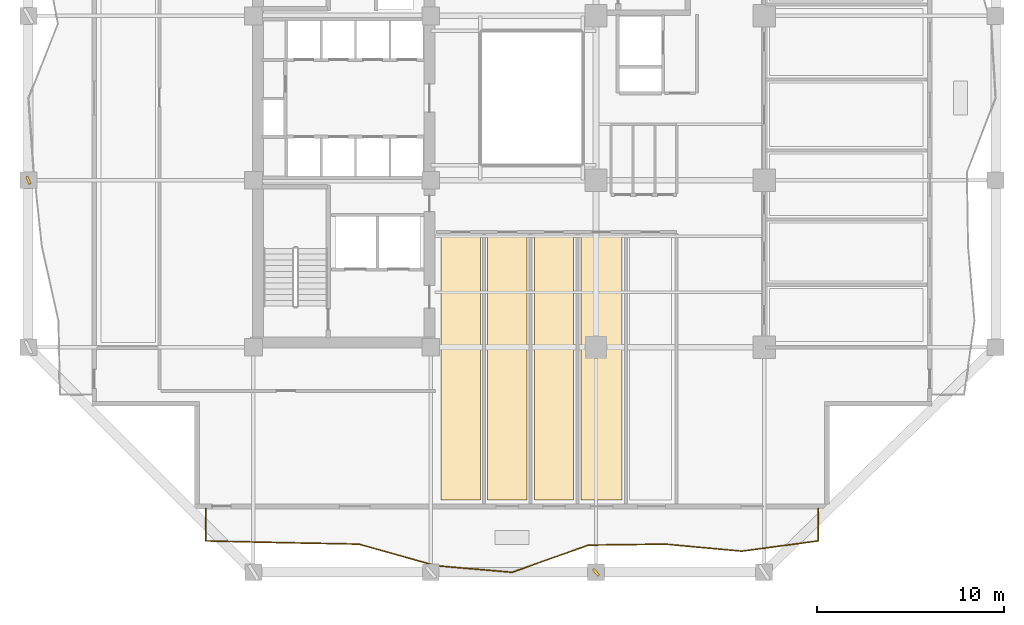
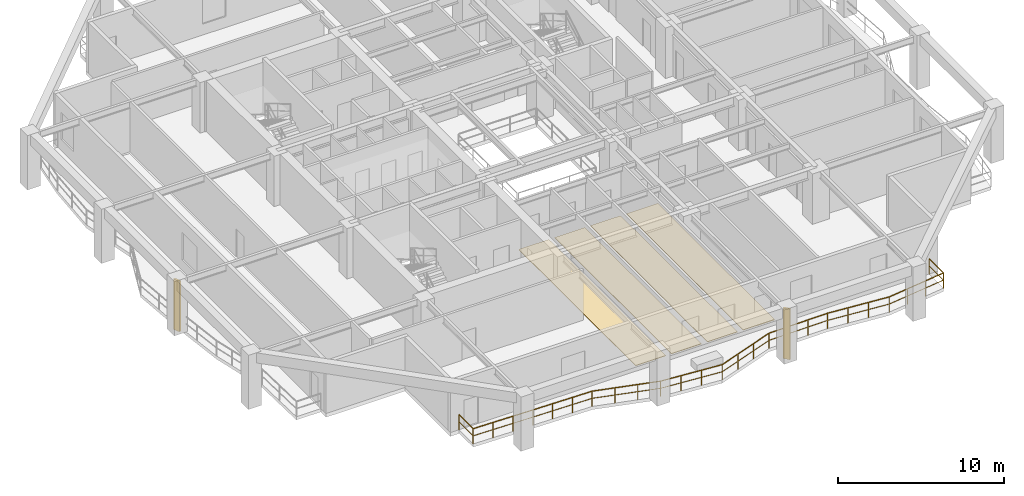
# One storey, part 8 of 13: 4 coverings, 2 shading devices, 1 railing.
"""IFC4 building model written with IfcOpenShell, lengths in metres."""

from ifc_helpers import new_model, si_unit, direction, frame, origin, origin_2d, place, context, subcontext, project, spatial, polyline, rectangle, outline, extrude, material, layer, layer_set, type_object, element, save


model = new_model("IFC4")

# Units and contexts
model_context = context("Model", 3, precision=1e-05, world=origin(), true_north=direction((0.0, 1.0)))
body_context = subcontext(model_context, "Body", "Model", "MODEL_VIEW")
ifc_project = project(units=[si_unit("LENGTHUNIT", "METRE"), si_unit("AREAUNIT", "SQUARE_METRE"), si_unit("VOLUMEUNIT", "CUBIC_METRE"), si_unit("PLANEANGLEUNIT", "RADIAN"), si_unit("MASSUNIT", "GRAM", prefix="KILO")], contexts=[model_context])

# Site, building, storey
site_placement = place(None, origin())
site = spatial("IfcSite", under=ifc_project, at=site_placement, CompositionType="ELEMENT")
building_placement = place(site_placement, origin())
building = spatial("IfcBuilding", under=site, at=building_placement, Name="Kundavana Baori Tower", CompositionType="ELEMENT")
storey_placement = place(building_placement, frame((0.0, 0.0, 66.0)))
storey = spatial("IfcBuildingStorey", under=building, at=storey_placement, Name="L15", CompositionType="ELEMENT", Elevation=66.0)

# Coverings
ifc_material_1 = material(Name="Honed Kota Stone and Terrazzo Flooring", Category="masonry")
ifc_layer = layer(ifc_material_1, 0.0400390625, Name="COV-FLR-TERR-40")
ifc_layer_set = layer_set([ifc_layer], Name="Honed Kota Stone and Terrazzo Flooring")
covering_type = type_object("IfcCoveringType", Name="COV-FLR-TERR-40", PredefinedType="FLOORING", material=ifc_layer_set)
covering_1_placement = place(storey_placement, origin())
element("IfcCovering", 1, at=covering_1_placement, inside=storey, type_object=covering_type, Name="L15 Room Finished Stone Flooring 2", PredefinedType="FLOORING", context=body_context, shape_type="SweptSolid", body=[
    extrude(outline(polyline([(25.5, 7.080078125), (27.60009765625, 7.080078125), (27.60009765625, 21.199951171875), (25.5, 21.199951171875), (25.5, 7.080078125)])), origin(), (0.0, 0.0, 1.0), 0.0400390625),
])
covering_2_placement = place(storey_placement, origin())
element("IfcCovering", 2, at=covering_2_placement, inside=storey, type_object=covering_type, Name="L15 Room Finished Stone Flooring 3", PredefinedType="FLOORING", context=body_context, shape_type="SweptSolid", body=[
    extrude(outline(polyline([(28.0, 7.080078125), (30.10009765625, 7.080078125), (30.10009765625, 21.199951171875), (28.0, 21.199951171875), (28.0, 7.080078125)])), origin(), (0.0, 0.0, 1.0), 0.0400390625),
])
covering_3_placement = place(storey_placement, origin())
element("IfcCovering", 3, at=covering_3_placement, inside=storey, type_object=covering_type, Name="L15 Room Finished Stone Flooring 4", PredefinedType="FLOORING", context=body_context, shape_type="SweptSolid", body=[
    extrude(outline(polyline([(30.5, 7.080078125), (32.60009765625, 7.080078125), (32.60009765625, 21.199951171875), (30.5, 21.199951171875), (30.5, 7.080078125)])), origin(), (0.0, 0.0, 1.0), 0.0400390625),
])
covering_4_placement = place(storey_placement, origin())
element("IfcCovering", 4, at=covering_4_placement, inside=storey, type_object=covering_type, Name="L15 Room Finished Stone Flooring 5", PredefinedType="FLOORING", context=body_context, shape_type="SweptSolid", body=[
    extrude(outline(polyline([(33.0, 7.080078125), (35.199951171875, 7.080078125), (35.199951171875, 21.199951171875), (33.0, 21.199951171875), (33.0, 7.080078125)])), origin(), (0.0, 0.0, 1.0), 0.0400390625),
])

# Railing
ifc_material_2 = material(Name="Architectural Patinated Bronze Metalwork")
railing_type = type_object("IfcRailingType", Name="RL-BAL-1150", PredefinedType="BALUSTRADE", material=ifc_material_2)
railing_placement = place(storey_placement, frame((45.699951171875, 6.60009765625, 0.0)))
element("IfcRailing", 5, at=railing_placement, inside=storey, type_object=railing_type, Name="L15 Loggia Balcony Balustrade S", PredefinedType="BALUSTRADE", context=body_context, shape_type="SweptSolid", body=[
    extrude(rectangle(XDim=0.048095703125, YDim=0.048095703125, at=origin_2d()), frame((0.0, 0.0, 1.1259765625), z_axis=(0.0, -1.0, 0.0), x_axis=(1.0, 0.0, 0.0)), (0.0, 0.0, 1.0), 1.72021484375),
    extrude(rectangle(XDim=0.03125, YDim=0.03125, at=origin_2d()), frame((0.0, 0.0, 0.597900390625), z_axis=(0.0, -1.0, 0.0), x_axis=(1.0, 0.0, 0.0)), (0.0, 0.0, 1.0), 1.72021484375),
    extrude(rectangle(XDim=0.048095703125, YDim=0.048095703125, at=origin_2d()), frame((0.0, -1.72021484375, 1.1259765625), z_axis=(-0.991158691367, -0.132681756577, 0.0), x_axis=(0.132681756577, -0.991158691367, 0.0)), (0.0, 0.0, 1.0), 4.136474609375),
    extrude(rectangle(XDim=0.03125, YDim=0.03125, at=origin_2d()), frame((0.0, -1.72021484375, 0.597900390625), z_axis=(-0.991158691367, -0.132681756577, 0.0), x_axis=(0.132681756577, -0.991158691367, 0.0)), (0.0, 0.0, 1.0), 4.136474609375),
    extrude(rectangle(XDim=0.048095703125, YDim=0.048095703125, at=origin_2d()), frame((-4.099853515625, -2.26904296875, 1.1259765625), z_axis=(-0.995843480493, 0.091081075744, 0.0), x_axis=(-0.091081075744, -0.995843480493, 0.0)), (0.0, 0.0, 1.0), 4.1171875),
    extrude(rectangle(XDim=0.03125, YDim=0.03125, at=origin_2d()), frame((-4.099853515625, -2.26904296875, 0.597900390625), z_axis=(-0.995843480493, 0.091081075744, 0.0), x_axis=(-0.091081075744, -0.995843480493, 0.0)), (0.0, 0.0, 1.0), 4.1171875),
    extrude(rectangle(XDim=0.048095703125, YDim=0.048095703125, at=origin_2d()), frame((-8.199951171875, -1.89404296875, 1.1259765625), z_axis=(-0.999916530695, -0.01292020288, 0.0), x_axis=(0.01292020288, -0.999916530695, 0.0)), (0.0, 0.0, 1.0), 4.100341796875),
    extrude(rectangle(XDim=0.03125, YDim=0.03125, at=origin_2d()), frame((-8.199951171875, -1.89404296875, 0.597900390625), z_axis=(-0.999916530695, -0.01292020288, 0.0), x_axis=(0.01292020288, -0.999916530695, 0.0)), (0.0, 0.0, 1.0), 4.100341796875),
    extrude(rectangle(XDim=0.048095703125, YDim=0.048095703125, at=origin_2d()), frame((-12.300048828125, -1.947021484375, 1.1259765625), z_axis=(-0.942548083463, -0.334070517047, 0.0), x_axis=(0.334070517047, -0.942548083463, 0.0)), (0.0, 0.0, 1.0), 4.349853515625),
    extrude(rectangle(XDim=0.03125, YDim=0.03125, at=origin_2d()), frame((-12.300048828125, -1.947021484375, 0.597900390625), z_axis=(-0.942548083463, -0.334070517047, 0.0), x_axis=(0.334070517047, -0.942548083463, 0.0)), (0.0, 0.0, 1.0), 4.349853515625),
    extrude(rectangle(XDim=0.048095703125, YDim=0.048095703125, at=origin_2d()), frame((-16.39990234375, -3.400146484375, 1.1259765625), z_axis=(-0.996273017827, 0.08625586328, 0.0), x_axis=(-0.08625586328, -0.996273017827, 0.0)), (0.0, 0.0, 1.0), 4.115478515625),
    extrude(rectangle(XDim=0.03125, YDim=0.03125, at=origin_2d()), frame((-16.39990234375, -3.400146484375, 0.597900390625), z_axis=(-0.996273017827, 0.08625586328, 0.0), x_axis=(-0.08625586328, -0.996273017827, 0.0)), (0.0, 0.0, 1.0), 4.115478515625),
    extrude(rectangle(XDim=0.048095703125, YDim=0.048095703125, at=origin_2d()), frame((-20.5, -3.045166015625, 1.1259765625), z_axis=(-0.962770852981, 0.27031885737, 0.0), x_axis=(-0.27031885737, -0.962770852981, 0.0)), (0.0, 0.0, 1.0), 4.25830078125),
    extrude(rectangle(XDim=0.03125, YDim=0.03125, at=origin_2d()), frame((-20.5, -3.045166015625, 0.597900390625), z_axis=(-0.962770852981, 0.27031885737, 0.0), x_axis=(-0.27031885737, -0.962770852981, 0.0)), (0.0, 0.0, 1.0), 4.25830078125),
    extrude(rectangle(XDim=0.048095703125, YDim=0.048095703125, at=origin_2d()), frame((-24.599853515625, -1.89404296875, 1.1259765625), z_axis=(-0.999810489297, 0.01946754972, 0.0), x_axis=(-0.01946754972, -0.999810489297, 0.0)), (0.0, 0.0, 1.0), 4.100830078125),
    extrude(rectangle(XDim=0.03125, YDim=0.03125, at=origin_2d()), frame((-24.599853515625, -1.89404296875, 0.597900390625), z_axis=(-0.999810489297, 0.01946754972, 0.0), x_axis=(-0.01946754972, -0.999810489297, 0.0)), (0.0, 0.0, 1.0), 4.100830078125),
    extrude(rectangle(XDim=0.048095703125, YDim=0.048095703125, at=origin_2d()), frame((-28.699951171875, -1.814208984375, 1.1259765625), z_axis=(-0.999737329062, 0.022918832422, 0.0), x_axis=(-0.022918832422, -0.999737329062, 0.0)), (0.0, 0.0, 1.0), 4.10107421875),
    extrude(rectangle(XDim=0.03125, YDim=0.03125, at=origin_2d()), frame((-28.699951171875, -1.814208984375, 0.597900390625), z_axis=(-0.999737329062, 0.022918832422, 0.0), x_axis=(-0.022918832422, -0.999737329062, 0.0)), (0.0, 0.0, 1.0), 4.10107421875),
    extrude(rectangle(XDim=0.048095703125, YDim=0.048095703125, at=origin_2d()), frame((-32.800048828125, -1.72021484375, 1.1259765625), z_axis=(0.0, 1.0, 0.0), x_axis=(-1.0, 0.0, 0.0)), (0.0, 0.0, 1.0), 1.72021484375),
    extrude(rectangle(XDim=0.03125, YDim=0.03125, at=origin_2d()), frame((-32.800048828125, -1.72021484375, 0.597900390625), z_axis=(0.0, 1.0, 0.0), x_axis=(-1.0, 0.0, 0.0)), (0.0, 0.0, 1.0), 1.72021484375),
    extrude(rectangle(XDim=0.0419921875, YDim=0.0419921875, at=origin_2d()), origin(), (0.0, 0.0, 1.0), 1.101806640625),
    extrude(rectangle(XDim=0.0419921875, YDim=0.0419921875, at=origin_2d()), frame((0.0, -1.72021484375, 0.0)), (0.0, 0.0, 1.0), 1.101806640625),
    extrude(rectangle(XDim=0.0419921875, YDim=0.0419921875, at=origin_2d()), frame((-1.36669921875, -1.903076171875, 0.0)), (0.0, 0.0, 1.0), 1.101806640625),
    extrude(rectangle(XDim=0.0419921875, YDim=0.0419921875, at=origin_2d()), frame((-2.733154296875, -2.086181640625, 0.0)), (0.0, 0.0, 1.0), 1.101806640625),
    extrude(rectangle(XDim=0.0419921875, YDim=0.0419921875, at=origin_2d()), frame((-4.099853515625, -2.26904296875, 0.0)), (0.0, 0.0, 1.0), 1.101806640625),
    extrude(rectangle(XDim=0.0419921875, YDim=0.0419921875, at=origin_2d()), frame((-5.466552734375, -2.14404296875, 0.0)), (0.0, 0.0, 1.0), 1.101806640625),
    extrude(rectangle(XDim=0.0419921875, YDim=0.0419921875, at=origin_2d()), frame((-6.833251953125, -2.01904296875, 0.0)), (0.0, 0.0, 1.0), 1.101806640625),
    extrude(rectangle(XDim=0.0419921875, YDim=0.0419921875, at=origin_2d()), frame((-8.199951171875, -1.89404296875, 0.0)), (0.0, 0.0, 1.0), 1.101806640625),
    extrude(rectangle(XDim=0.0419921875, YDim=0.0419921875, at=origin_2d()), frame((-9.566650390625, -1.91162109375, 0.0)), (0.0, 0.0, 1.0), 1.101806640625),
    extrude(rectangle(XDim=0.0419921875, YDim=0.0419921875, at=origin_2d()), frame((-10.933349609375, -1.929443359375, 0.0)), (0.0, 0.0, 1.0), 1.101806640625),
    extrude(rectangle(XDim=0.0419921875, YDim=0.0419921875, at=origin_2d()), frame((-12.300048828125, -1.947021484375, 0.0)), (0.0, 0.0, 1.0), 1.101806640625),
    extrude(rectangle(XDim=0.0419921875, YDim=0.0419921875, at=origin_2d()), frame((-13.666748046875, -2.431396484375, 0.0)), (0.0, 0.0, 1.0), 1.101806640625),
    extrude(rectangle(XDim=0.0419921875, YDim=0.0419921875, at=origin_2d()), frame((-15.033203125, -2.915771484375, 0.0)), (0.0, 0.0, 1.0), 1.101806640625),
    extrude(rectangle(XDim=0.0419921875, YDim=0.0419921875, at=origin_2d()), frame((-16.39990234375, -3.400146484375, 0.0)), (0.0, 0.0, 1.0), 1.101806640625),
    extrude(rectangle(XDim=0.0419921875, YDim=0.0419921875, at=origin_2d()), frame((-17.7666015625, -3.28173828125, 0.0)), (0.0, 0.0, 1.0), 1.101806640625),
    extrude(rectangle(XDim=0.0419921875, YDim=0.0419921875, at=origin_2d()), frame((-19.13330078125, -3.16357421875, 0.0)), (0.0, 0.0, 1.0), 1.101806640625),
    extrude(rectangle(XDim=0.0419921875, YDim=0.0419921875, at=origin_2d()), frame((-20.5, -3.045166015625, 0.0)), (0.0, 0.0, 1.0), 1.101806640625),
    extrude(rectangle(XDim=0.0419921875, YDim=0.0419921875, at=origin_2d()), frame((-21.86669921875, -2.661376953125, 0.0)), (0.0, 0.0, 1.0), 1.101806640625),
    extrude(rectangle(XDim=0.0419921875, YDim=0.0419921875, at=origin_2d()), frame((-23.233154296875, -2.27783203125, 0.0)), (0.0, 0.0, 1.0), 1.101806640625),
    extrude(rectangle(XDim=0.0419921875, YDim=0.0419921875, at=origin_2d()), frame((-24.599853515625, -1.89404296875, 0.0)), (0.0, 0.0, 1.0), 1.101806640625),
    extrude(rectangle(XDim=0.0419921875, YDim=0.0419921875, at=origin_2d()), frame((-25.966552734375, -1.867431640625, 0.0)), (0.0, 0.0, 1.0), 1.101806640625),
    extrude(rectangle(XDim=0.0419921875, YDim=0.0419921875, at=origin_2d()), frame((-27.333251953125, -1.8408203125, 0.0)), (0.0, 0.0, 1.0), 1.101806640625),
    extrude(rectangle(XDim=0.0419921875, YDim=0.0419921875, at=origin_2d()), frame((-28.699951171875, -1.814208984375, 0.0)), (0.0, 0.0, 1.0), 1.101806640625),
    extrude(rectangle(XDim=0.0419921875, YDim=0.0419921875, at=origin_2d()), frame((-30.066650390625, -1.782958984375, 0.0)), (0.0, 0.0, 1.0), 1.101806640625),
    extrude(rectangle(XDim=0.0419921875, YDim=0.0419921875, at=origin_2d()), frame((-31.433349609375, -1.75146484375, 0.0)), (0.0, 0.0, 1.0), 1.101806640625),
    extrude(rectangle(XDim=0.0419921875, YDim=0.0419921875, at=origin_2d()), frame((-32.800048828125, -1.72021484375, 0.0)), (0.0, 0.0, 1.0), 1.101806640625),
    extrude(rectangle(XDim=0.0419921875, YDim=0.0419921875, at=origin_2d()), frame((-32.800048828125, 0.0, 0.0)), (0.0, 0.0, 1.0), 1.101806640625),
])

# Shading devices
ifc_material_3 = material(Name="Architectural Patinated Bronze Metalwork")
shading_device_type = type_object("IfcShadingDeviceType", Name="SHD-LOUV-450", PredefinedType="SHUTTER", material=ifc_material_3)
for number, where, z_axis, x_axis, name in (
    (6, (33.800048828125, 3.199951171875, 0.0), (0.0, 0.0, 1.0), (0.752069916777, 0.659083333334, 0.0), "L15 Sweeping Dholpur Sandstone Facade Fin 3"),
    (7, (3.39990234375, 24.199951171875, 0.0), (0.0, 0.0, 1.0), (0.925077206834, 0.379779095522, 0.0), "L15 Sweeping Dholpur Sandstone Facade Fin 6"),
):
    element("IfcShadingDevice", number, at=place(storey_placement, frame(where, z_axis=z_axis, x_axis=x_axis)), inside=storey, type_object=shading_device_type, Name=name, PredefinedType="SHUTTER", context=body_context, shape_type="SweptSolid", body=[
        extrude(rectangle(XDim=0.139892578125, YDim=0.449951171875, at=origin_2d()), origin(), (0.0, 0.0, 1.0), 3.719970703125),
    ])

save(model, "model.ifc")
